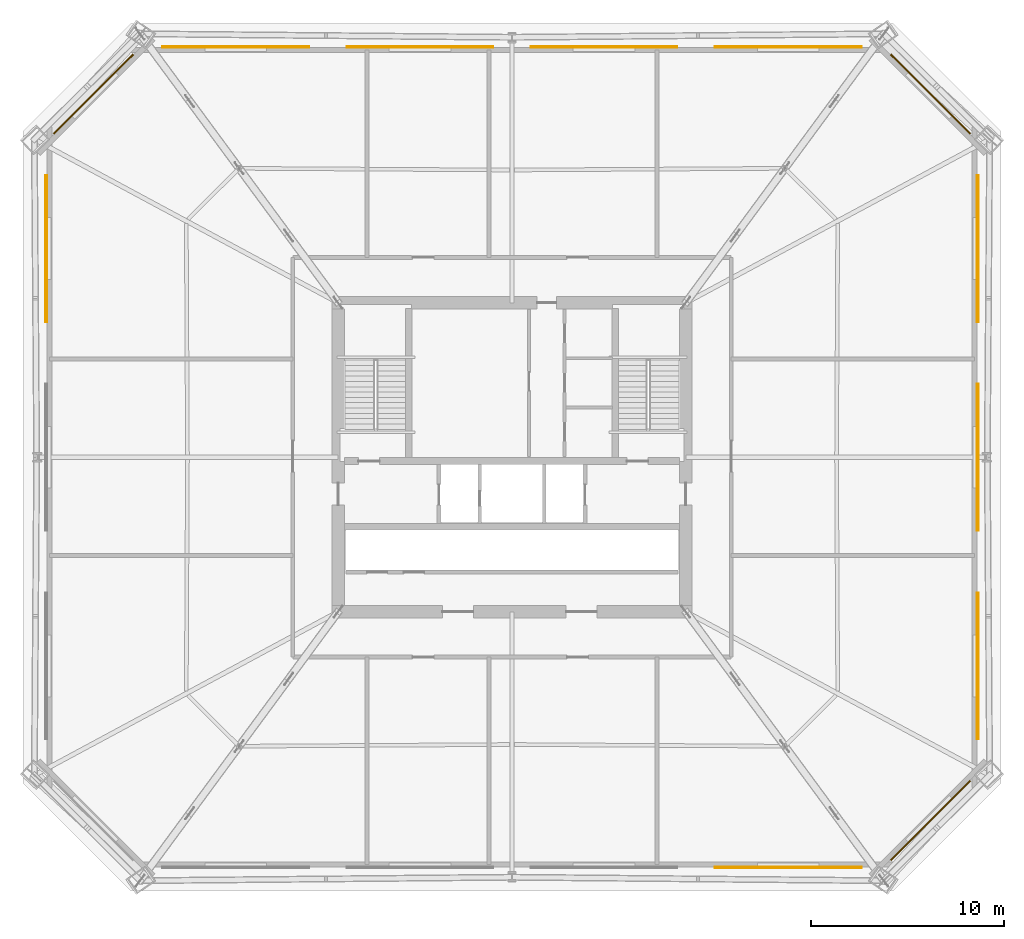
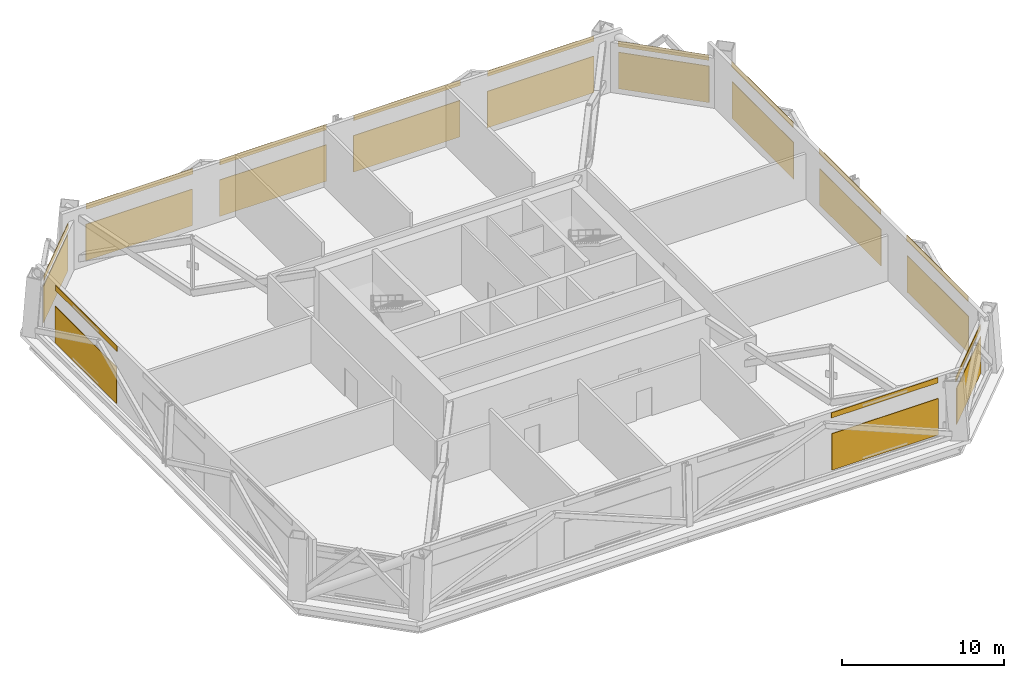
# One storey, part 14 of 14: 12 coverings, 12 shading devices.
"""IFC4 building model written with IfcOpenShell, lengths in metres."""

from ifc_helpers import new_model, si_unit, direction, frame, origin, origin_2d, place, context, subcontext, project, spatial, rectangle, extrude, material, layer, layer_set, type_object, element, save


model = new_model("IFC4")

# Units and contexts
model_context = context("Model", 3, precision=1e-05, world=origin(), true_north=direction((0.0, 1.0)))
body_context = subcontext(model_context, "Body", "Model", "MODEL_VIEW")
ifc_project = project(units=[si_unit("LENGTHUNIT", "METRE"), si_unit("AREAUNIT", "SQUARE_METRE"), si_unit("VOLUMEUNIT", "CUBIC_METRE"), si_unit("PLANEANGLEUNIT", "RADIAN"), si_unit("MASSUNIT", "GRAM", prefix="KILO")], contexts=[model_context])

# Site, building, storey
site_placement = place(None, origin())
site = spatial("IfcSite", under=ifc_project, at=site_placement, CompositionType="ELEMENT")
building_placement = place(site_placement, origin())
building = spatial("IfcBuilding", under=site, at=building_placement, Name="Caelvoria Tower", CompositionType="ELEMENT")
storey_placement = place(building_placement, frame((0.0, 0.0, 85.60009765625)))
storey = spatial("IfcBuildingStorey", under=building, at=storey_placement, Name="L22", CompositionType="ELEMENT", Elevation=85.60009765625)

# Coverings
ifc_material_1 = material(Name="Perforated Architectural Bronze Cladding Screen", Category="bronze")
ifc_layer_1 = layer(ifc_material_1, 0.0400390625, Name="Perforated Architectural Bronze Cladding Screen")
ifc_layer_set_1 = layer_set([ifc_layer_1], Name="Perforated Bronze Louvre Cladding Band 40 - Perforated Architectural Bronze Cladding Screen")
covering_type = type_object("IfcCoveringType", Name="Perforated Bronze Louvre Cladding Band 40", PredefinedType="CLADDING", material=ifc_layer_set_1)
covering_1_placement = place(storey_placement, frame((60.304931640625, 10.771240234375, 4.06005859375), z_axis=(0.0, 0.0, 1.0), x_axis=(1.0, 0.0, 0.0)))
element("IfcCovering", 1, at=covering_1_placement, inside=storey, type_object=covering_type, Name="Perforated Bronze Screen Band L22-E0-03", PredefinedType="CLADDING", context=body_context, shape_type="SweptSolid", body=[
    extrude(rectangle(XDim=7.60009765625, YDim=0.0400390625, at=origin_2d()), origin(), (0.0, 0.0, 1.0), 0.39990234375),
])
covering_2_placement = place(storey_placement, frame((67.657958984375, 13.208740234375, 3.362060546875), z_axis=(0.0, 0.0, 1.0), x_axis=(0.707106781187, 0.707106781187, 0.0)))
element("IfcCovering", 2, at=covering_2_placement, inside=storey, type_object=covering_type, Name="Perforated Bronze Screen Band L22-E1-00", PredefinedType="CLADDING", context=body_context, shape_type="SweptSolid", body=[
    extrude(rectangle(XDim=5.8076171875, YDim=0.0400390625, at=origin_2d()), origin(), (0.0, 0.0, 1.0), 0.39990234375),
])
for number, where, z_axis, x_axis, name in (
    (3, (70.09521484375, 21.195556640625, 4.06005859375), (0.0, 0.0, 1.0), (0.0, 1.0, 0.0), "Perforated Bronze Screen Band L22-E2-00"),
    (4, (70.09521484375, 32.0, 4.06005859375), (0.0, 0.0, 1.0), (0.0, 1.0, 0.0), "Perforated Bronze Screen Band L22-E2-01"),
    (5, (70.09521484375, 42.804443359375, 4.06005859375), (0.0, 0.0, 1.0), (0.0, 1.0, 0.0), "Perforated Bronze Screen Band L22-E2-02"),
):
    element("IfcCovering", number, at=place(storey_placement, frame(where, z_axis=z_axis, x_axis=x_axis)), inside=storey, type_object=covering_type, Name=name, PredefinedType="CLADDING", context=body_context, shape_type="SweptSolid", body=[
        extrude(rectangle(XDim=7.60009765625, YDim=0.0400390625, at=origin_2d()), origin(), (0.0, 0.0, 1.0), 0.39990234375),
    ])
covering_3_placement = place(storey_placement, frame((67.657958984375, 50.791259765625, 3.362060546875), z_axis=(0.0, 0.0, 1.0), x_axis=(-0.707106781187, 0.707106781187, 0.0)))
element("IfcCovering", 6, at=covering_3_placement, inside=storey, type_object=covering_type, Name="Perforated Bronze Screen Band L22-E3-00", PredefinedType="CLADDING", context=body_context, shape_type="SweptSolid", body=[
    extrude(rectangle(XDim=5.8076171875, YDim=0.0400390625, at=origin_2d()), origin(), (0.0, 0.0, 1.0), 0.39990234375),
])
for number, where, z_axis, x_axis, name in (
    (7, (60.304931640625, 53.228759765625, 4.06005859375), (0.0, 0.0, 1.0), (-1.0, 0.0, 0.0), "Perforated Bronze Screen Band L22-E4-00"),
    (8, (50.768310546875, 53.228759765625, 4.06005859375), (0.0, 0.0, 1.0), (-1.0, 0.0, 0.0), "Perforated Bronze Screen Band L22-E4-01"),
    (9, (41.231689453125, 53.228759765625, 4.06005859375), (0.0, 0.0, 1.0), (-1.0, 0.0, 0.0), "Perforated Bronze Screen Band L22-E4-02"),
    (10, (31.695068359375, 53.228759765625, 4.06005859375), (0.0, 0.0, 1.0), (-1.0, 0.0, 0.0), "Perforated Bronze Screen Band L22-E4-03"),
):
    element("IfcCovering", number, at=place(storey_placement, frame(where, z_axis=z_axis, x_axis=x_axis)), inside=storey, type_object=covering_type, Name=name, PredefinedType="CLADDING", context=body_context, shape_type="SweptSolid", body=[
        extrude(rectangle(XDim=7.60009765625, YDim=0.0400390625, at=origin_2d()), origin(), (0.0, 0.0, 1.0), 0.39990234375),
    ])
covering_4_placement = place(storey_placement, frame((24.342041015625, 50.791259765625, 3.362060546875), z_axis=(0.0, 0.0, 1.0), x_axis=(-0.707106781187, -0.707106781187, 0.0)))
element("IfcCovering", 11, at=covering_4_placement, inside=storey, type_object=covering_type, Name="Perforated Bronze Screen Band L22-E5-00", PredefinedType="CLADDING", context=body_context, shape_type="SweptSolid", body=[
    extrude(rectangle(XDim=5.8076171875, YDim=0.0400390625, at=origin_2d()), origin(), (0.0, 0.0, 1.0), 0.39990234375),
])
covering_5_placement = place(storey_placement, frame((21.90478515625, 42.804443359375, 4.06005859375), z_axis=(0.0, 0.0, 1.0), x_axis=(0.0, -1.0, 0.0)))
element("IfcCovering", 12, at=covering_5_placement, inside=storey, type_object=covering_type, Name="Perforated Bronze Screen Band L22-E6-00", PredefinedType="CLADDING", context=body_context, shape_type="SweptSolid", body=[
    extrude(rectangle(XDim=7.60009765625, YDim=0.0400390625, at=origin_2d()), origin(), (0.0, 0.0, 1.0), 0.39990234375),
])

# Shading devices
ifc_material_2 = material(Name="Perforated Architectural Bronze Alloy Panel", Category="bronze")
ifc_layer_2 = layer(ifc_material_2, 0.044921875, Name="Perforated Architectural Bronze Alloy Panel")
ifc_layer_set_2 = layer_set([ifc_layer_2], Name="Perforated Bronze Solar Screen Panel SCREEN - Perforated Architectural Bronze Alloy Panel")
shading_device_type = type_object("IfcShadingDeviceType", Name="Perforated Bronze Solar Screen Panel SCREEN", PredefinedType="USERDEFINED", material=ifc_layer_set_2)
shading_device_1_placement = place(storey_placement, frame((60.304931640625, 10.728271484375, 0.159912109375), z_axis=(0.0, 0.0, 1.0), x_axis=(1.0, 0.0, 0.0)))
element("IfcShadingDevice", 13, at=shading_device_1_placement, inside=storey, type_object=shading_device_type, Name="Perforated Bronze Solar Screen L22-E0-03", ObjectType="SCREEN", PredefinedType="USERDEFINED", context=body_context, shape_type="SweptSolid", body=[
    extrude(rectangle(XDim=7.60009765625, YDim=0.044921875, at=origin_2d()), origin(), (0.0, 0.0, 1.0), 2.75),
])
shading_device_2_placement = place(storey_placement, frame((67.688232421875, 13.17822265625, 0.159912109375), z_axis=(0.0, 0.0, 1.0), x_axis=(0.707106781187, 0.707106781187, 0.0)))
element("IfcShadingDevice", 14, at=shading_device_2_placement, inside=storey, type_object=shading_device_type, Name="Perforated Bronze Solar Screen L22-E1-00", ObjectType="SCREEN", PredefinedType="USERDEFINED", context=body_context, shape_type="SweptSolid", body=[
    extrude(rectangle(XDim=5.8076171875, YDim=0.044921875, at=origin_2d()), origin(), (0.0, 0.0, 1.0), 2.75),
])
for number, where, z_axis, x_axis, name in (
    (15, (70.13818359375, 21.195556640625, 0.159912109375), (0.0, 0.0, 1.0), (0.0, 1.0, 0.0), "Perforated Bronze Solar Screen L22-E2-00"),
    (16, (70.13818359375, 32.0, 0.159912109375), (0.0, 0.0, 1.0), (0.0, 1.0, 0.0), "Perforated Bronze Solar Screen L22-E2-01"),
    (17, (70.13818359375, 42.804443359375, 0.159912109375), (0.0, 0.0, 1.0), (0.0, 1.0, 0.0), "Perforated Bronze Solar Screen L22-E2-02"),
):
    element("IfcShadingDevice", number, at=place(storey_placement, frame(where, z_axis=z_axis, x_axis=x_axis)), inside=storey, type_object=shading_device_type, Name=name, ObjectType="SCREEN", PredefinedType="USERDEFINED", context=body_context, shape_type="SweptSolid", body=[
        extrude(rectangle(XDim=7.60009765625, YDim=0.044921875, at=origin_2d()), origin(), (0.0, 0.0, 1.0), 2.75),
    ])
shading_device_3_placement = place(storey_placement, frame((67.688232421875, 50.82177734375, 0.159912109375), z_axis=(0.0, 0.0, 1.0), x_axis=(-0.707106781187, 0.707106781187, 0.0)))
element("IfcShadingDevice", 18, at=shading_device_3_placement, inside=storey, type_object=shading_device_type, Name="Perforated Bronze Solar Screen L22-E3-00", ObjectType="SCREEN", PredefinedType="USERDEFINED", context=body_context, shape_type="SweptSolid", body=[
    extrude(rectangle(XDim=5.8076171875, YDim=0.044921875, at=origin_2d()), origin(), (0.0, 0.0, 1.0), 2.75),
])
for number, where, z_axis, x_axis, name in (
    (19, (60.304931640625, 53.271728515625, 0.159912109375), (0.0, 0.0, 1.0), (-1.0, 0.0, 0.0), "Perforated Bronze Solar Screen L22-E4-00"),
    (20, (50.768310546875, 53.271728515625, 0.159912109375), (0.0, 0.0, 1.0), (-1.0, 0.0, 0.0), "Perforated Bronze Solar Screen L22-E4-01"),
    (21, (41.231689453125, 53.271728515625, 0.159912109375), (0.0, 0.0, 1.0), (-1.0, 0.0, 0.0), "Perforated Bronze Solar Screen L22-E4-02"),
    (22, (31.695068359375, 53.271728515625, 0.159912109375), (0.0, 0.0, 1.0), (-1.0, 0.0, 0.0), "Perforated Bronze Solar Screen L22-E4-03"),
):
    element("IfcShadingDevice", number, at=place(storey_placement, frame(where, z_axis=z_axis, x_axis=x_axis)), inside=storey, type_object=shading_device_type, Name=name, ObjectType="SCREEN", PredefinedType="USERDEFINED", context=body_context, shape_type="SweptSolid", body=[
        extrude(rectangle(XDim=7.60009765625, YDim=0.044921875, at=origin_2d()), origin(), (0.0, 0.0, 1.0), 2.75),
    ])
shading_device_4_placement = place(storey_placement, frame((24.311767578125, 50.82177734375, 0.159912109375), z_axis=(0.0, 0.0, 1.0), x_axis=(-0.707106781187, -0.707106781187, 0.0)))
element("IfcShadingDevice", 23, at=shading_device_4_placement, inside=storey, type_object=shading_device_type, Name="Perforated Bronze Solar Screen L22-E5-00", ObjectType="SCREEN", PredefinedType="USERDEFINED", context=body_context, shape_type="SweptSolid", body=[
    extrude(rectangle(XDim=5.8076171875, YDim=0.044921875, at=origin_2d()), origin(), (0.0, 0.0, 1.0), 2.75),
])
shading_device_5_placement = place(storey_placement, frame((21.86181640625, 42.804443359375, 0.159912109375), z_axis=(0.0, 0.0, 1.0), x_axis=(0.0, -1.0, 0.0)))
element("IfcShadingDevice", 24, at=shading_device_5_placement, inside=storey, type_object=shading_device_type, Name="Perforated Bronze Solar Screen L22-E6-00", ObjectType="SCREEN", PredefinedType="USERDEFINED", context=body_context, shape_type="SweptSolid", body=[
    extrude(rectangle(XDim=7.60009765625, YDim=0.044921875, at=origin_2d()), origin(), (0.0, 0.0, 1.0), 2.75),
])

save(model, "model.ifc")
